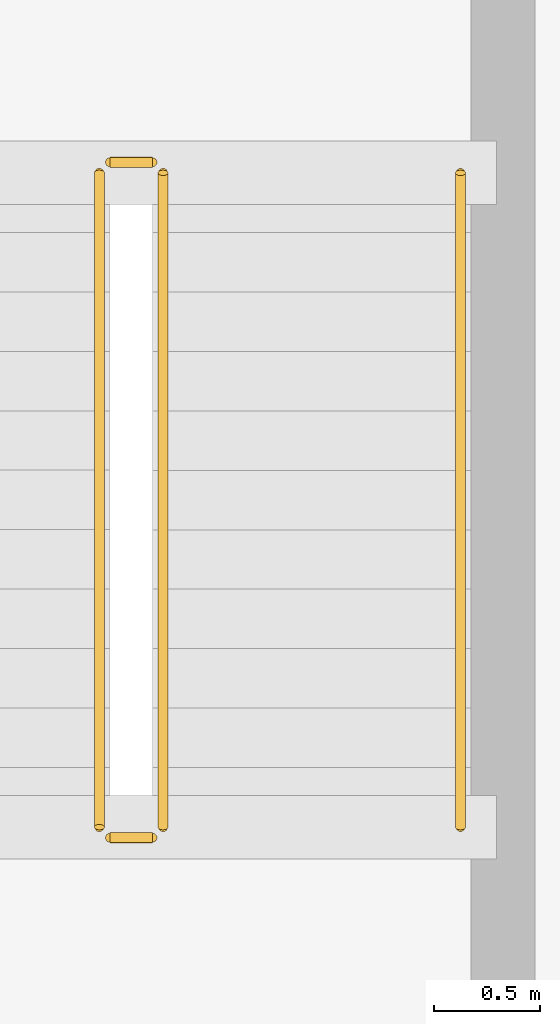
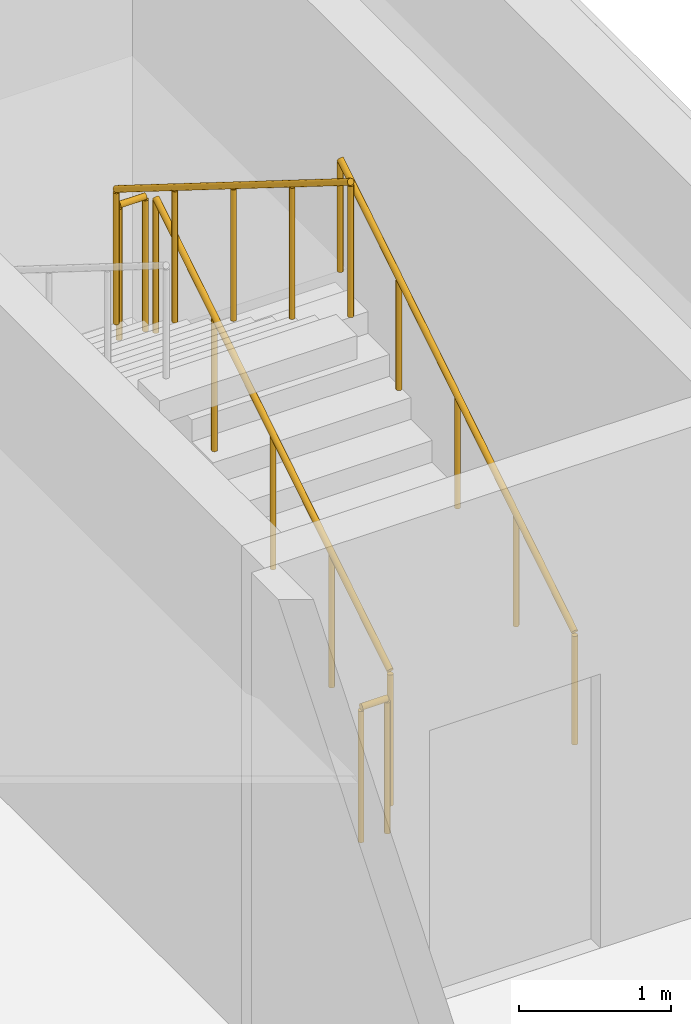
# One storey, part 84 of 84: 5 railings.
"""IFC4 building model written with IfcOpenShell, lengths in metres."""

from ifc_helpers import new_model, si_unit, direction, frame, origin, origin_2d, place, context, subcontext, project, spatial, circle, extrude, material, type_object, element, save


model = new_model("IFC4")

# Units and contexts
model_context = context("Model", 3, precision=1e-05, world=origin(), true_north=direction((0.0, 1.0)))
body_context = subcontext(model_context, "Body", "Model", "MODEL_VIEW")
ifc_project = project(units=[si_unit("LENGTHUNIT", "METRE"), si_unit("AREAUNIT", "SQUARE_METRE"), si_unit("VOLUMEUNIT", "CUBIC_METRE"), si_unit("PLANEANGLEUNIT", "RADIAN"), si_unit("MASSUNIT", "GRAM", prefix="KILO")], contexts=[model_context])

# Site, building, storey
site_placement = place(None, origin())
site = spatial("IfcSite", under=ifc_project, at=site_placement, CompositionType="ELEMENT")
building_placement = place(site_placement, origin())
building = spatial("IfcBuilding", under=site, at=building_placement, Name="Mzevani Central Library", CompositionType="ELEMENT")
storey_placement = place(building_placement, frame((0.0, 0.0, 5.39990234375)))
storey = spatial("IfcBuildingStorey", under=building, at=storey_placement, Name="L01", CompositionType="ELEMENT", Elevation=5.39990234375)

# Railings
ifc_material = material(Name="Brushed stainless steel rail", Category="steel")
railing_type_1 = type_object("IfcRailingType", Name="Interior Gallery and Stair Guard 1100", PredefinedType="BALUSTRADE", material=ifc_material)
railing_1_placement = place(storey_placement, frame((161.449951171875, 68.699951171875, 0.175048828125)))
element("IfcRailing", 1, at=railing_1_placement, inside=storey, type_object=railing_type_1, Name="L01 ST-02 stair guard 1", PredefinedType="BALUSTRADE", context=body_context, shape_type="SweptSolid", body=[
    extrude(circle(Radius=0.02392578125, at=origin_2d()), frame((0.0, 0.0, 1.076171875), z_axis=(0.0, 0.847998304005, 0.529998940003), x_axis=(-1.0, 0.0, 0.0)), (0.0, 0.0, 1.0), 3.632080078125),
    extrude(circle(Radius=0.02099609375, at=origin_2d()), origin(), (0.0, 0.0, 1.0), 1.052001953125),
    extrude(circle(Radius=0.02099609375, at=origin_2d()), frame((0.0, 0.77001953125, 0.481201171875)), (0.0, 0.0, 1.0), 1.052001953125),
    extrude(circle(Radius=0.02099609375, at=origin_2d()), frame((0.0, 1.5400390625, 0.96240234375)), (0.0, 0.0, 1.0), 1.052001953125),
    extrude(circle(Radius=0.02099609375, at=origin_2d()), frame((0.0, 2.31005859375, 1.44384765625)), (0.0, 0.0, 1.0), 1.052001953125),
    extrude(circle(Radius=0.02099609375, at=origin_2d()), frame((0.0, 3.080078125, 1.925048828125)), (0.0, 0.0, 1.0), 1.052001953125),
])
railing_2_placement = place(storey_placement, frame((161.39990234375, 71.830078125, 2.10009765625)))
element("IfcRailing", 2, at=railing_2_placement, inside=storey, type_object=railing_type_1, Name="L01 ST-02 stair guard 2", PredefinedType="BALUSTRADE", context=body_context, shape_type="SweptSolid", body=[
    extrude(circle(Radius=0.02392578125, at=origin_2d()), frame((0.0, 0.0, 1.076171875), z_axis=(-1.0, 0.0, 0.0), x_axis=(0.0, -1.0, 0.0)), (0.0, 0.0, 1.0), 0.199951171875),
    extrude(circle(Radius=0.02099609375, at=origin_2d()), origin(), (0.0, 0.0, 1.0), 1.052001953125),
    extrude(circle(Radius=0.02099609375, at=origin_2d()), frame((-0.199951171875, 0.0, 0.0)), (0.0, 0.0, 1.0), 1.052001953125),
])
railing_3_placement = place(storey_placement, frame((161.14990234375, 71.780029296875, 2.275146484375)))
element("IfcRailing", 3, at=railing_3_placement, inside=storey, type_object=railing_type_1, Name="L01 ST-02 stair guard 3", PredefinedType="BALUSTRADE", context=body_context, shape_type="SweptSolid", body=[
    extrude(circle(Radius=0.02392578125, at=origin_2d()), frame((0.0, 0.0, 1.076171875), z_axis=(0.0, -0.847998304005, 0.529998940003), x_axis=(1.0, 0.0, 0.0)), (0.0, 0.0, 1.0), 3.632080078125),
    extrude(circle(Radius=0.02099609375, at=origin_2d()), origin(), (0.0, 0.0, 1.0), 1.052001953125),
    extrude(circle(Radius=0.02099609375, at=origin_2d()), frame((0.0, -0.77001953125, 0.481201171875)), (0.0, 0.0, 1.0), 1.052001953125),
    extrude(circle(Radius=0.02099609375, at=origin_2d()), frame((0.0, -1.5400390625, 0.96240234375)), (0.0, 0.0, 1.0), 1.052001953125),
    extrude(circle(Radius=0.02099609375, at=origin_2d()), frame((0.0, -2.31005859375, 1.44384765625)), (0.0, 0.0, 1.0), 1.052001953125),
    extrude(circle(Radius=0.02099609375, at=origin_2d()), frame((0.0, -3.080078125, 1.925048828125)), (0.0, 0.0, 1.0), 1.052001953125),
])
railing_4_placement = place(storey_placement, frame((161.39990234375, 68.64990234375, 0.0)))
element("IfcRailing", 4, at=railing_4_placement, inside=storey, type_object=railing_type_1, Name="L01 ST-02 stair guard 4", PredefinedType="BALUSTRADE", context=body_context, shape_type="SweptSolid", body=[
    extrude(circle(Radius=0.02392578125, at=origin_2d()), frame((0.0, 0.0, 1.076171875), z_axis=(-1.0, 0.0, 0.0), x_axis=(0.0, -1.0, 0.0)), (0.0, 0.0, 1.0), 0.199951171875),
    extrude(circle(Radius=0.02099609375, at=origin_2d()), origin(), (0.0, 0.0, 1.0), 1.052001953125),
    extrude(circle(Radius=0.02099609375, at=origin_2d()), frame((-0.199951171875, 0.0, 0.0)), (0.0, 0.0, 1.0), 1.052001953125),
])
railing_type_2 = type_object("IfcRailingType", Name="Stair Wall Handrail 920", PredefinedType="HANDRAIL", material=ifc_material)
railing_5_placement = place(storey_placement, frame((162.85009765625, 68.699951171875, 0.175048828125)))
element("IfcRailing", 5, at=railing_5_placement, inside=storey, type_object=railing_type_2, Name="L01 ST-02 stair handrail 1", PredefinedType="HANDRAIL", context=body_context, shape_type="SweptSolid", body=[
    extrude(circle(Radius=0.02392578125, at=origin_2d()), frame((0.0, 0.0, 0.89599609375), z_axis=(0.0, 0.847998304005, 0.529998940003), x_axis=(-1.0, 0.0, 0.0)), (0.0, 0.0, 1.0), 3.632080078125),
    extrude(circle(Radius=0.02099609375, at=origin_2d()), origin(), (0.0, 0.0, 1.0), 0.871826171875),
    extrude(circle(Radius=0.02099609375, at=origin_2d()), frame((0.0, 0.77001953125, 0.481201171875)), (0.0, 0.0, 1.0), 0.871826171875),
    extrude(circle(Radius=0.02099609375, at=origin_2d()), frame((0.0, 1.5400390625, 0.96240234375)), (0.0, 0.0, 1.0), 0.871826171875),
    extrude(circle(Radius=0.02099609375, at=origin_2d()), frame((0.0, 2.31005859375, 1.44384765625)), (0.0, 0.0, 1.0), 0.871826171875),
    extrude(circle(Radius=0.02099609375, at=origin_2d()), frame((0.0, 3.080078125, 1.925048828125)), (0.0, 0.0, 1.0), 0.871826171875),
])

save(model, "model.ifc")
